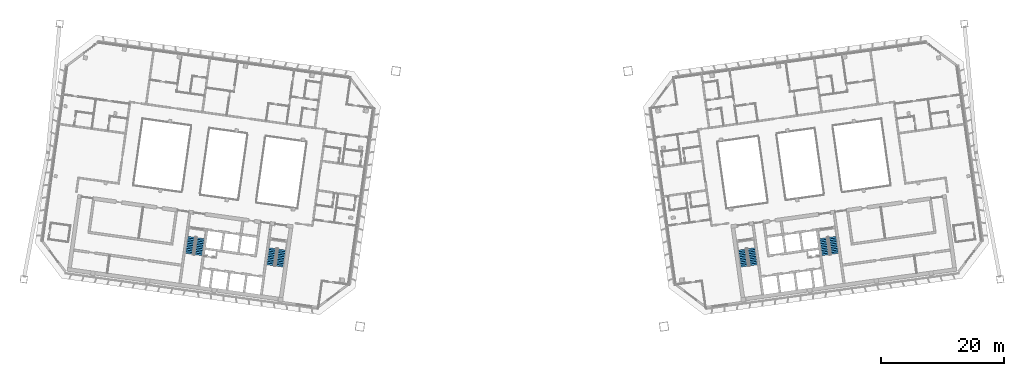
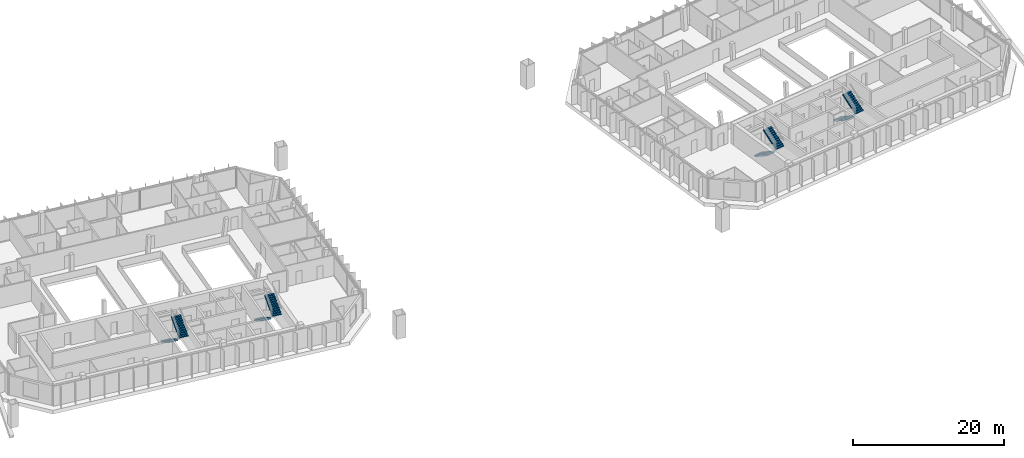
# One storey, part 21 of 23: 8 stair flights, 4 elements without a shape of their own.
"""IFC4 building model written with IfcOpenShell, lengths in metres."""

from ifc_helpers import new_model, si_unit, direction, frame, origin, place, context, subcontext, project, spatial, polyline, outline, extrude, material, type_object, element, aggregate, save


model = new_model("IFC4")

# Units and contexts
model_context = context("Model", 3, precision=1e-05, world=origin(), true_north=direction((0.0, 1.0)))
body_context = subcontext(model_context, "Body", "Model", "MODEL_VIEW")
ifc_project = project(units=[si_unit("LENGTHUNIT", "METRE"), si_unit("AREAUNIT", "SQUARE_METRE"), si_unit("VOLUMEUNIT", "CUBIC_METRE"), si_unit("PLANEANGLEUNIT", "RADIAN"), si_unit("MASSUNIT", "GRAM", prefix="KILO")], contexts=[model_context])

# Site, building, storey
site_placement = place(None, origin())
site = spatial("IfcSite", under=ifc_project, at=site_placement, CompositionType="ELEMENT")
building_placement = place(site_placement, origin())
building = spatial("IfcBuilding", under=site, at=building_placement, Name="Mirante Cascada Hotel Towers", CompositionType="ELEMENT")
storey_placement = place(building_placement, frame((0.0, 0.0, 220.4)))
storey = spatial("IfcBuildingStorey", under=building, at=storey_placement, Name="L52", CompositionType="ELEMENT", Elevation=220.4)

# Stair, stair flights
ifc_material_1 = material(Name="Concrete C35/45", Category="concrete")
stair_type = type_object("IfcStairType", Name="Exit stair half-turn 1350 concrete C35/45", PredefinedType="HALF_TURN_STAIR", material=ifc_material_1)
stair_1_placement = place(storey_placement, origin())
stair_1 = element("IfcStair", 1, at=stair_1_placement, inside=storey, type_object=stair_type, Name="L52 Exit stair A", PredefinedType="HALF_TURN_STAIR")
ifc_material_2 = material(Name="Concrete C35/45", Category="concrete")
stair_flight_type = type_object("IfcStairFlightType", Name="Exit stair flight 1350 concrete C35/45", PredefinedType="STRAIGHT", material=ifc_material_2)
stair_flight_1_placement = place(storey_placement, frame((-38.9417, -11.195, 0.0), z_axis=(0.0, 0.0, 1.0), x_axis=(-0.1391731, -0.9902681, 0.0)))
stair_flight_1 = element("IfcStairFlight", 2, at=stair_flight_1_placement, type_object=stair_flight_type, Name="ST1-A flight 1", NumberOfRisers=11, NumberOfTreads=10, PredefinedType="STRAIGHT", RiserHeight=0.172727273, TreadLength=0.28, context=body_context, shape_type="SweptSolid", body=[
    extrude(outline(polyline([(0.0, 0.0), (0.0, 0.1727), (0.28, 0.1727), (0.28, 0.3455), (0.56, 0.3455), (0.56, 0.5182), (0.84, 0.5182), (0.84, 0.6909), (1.12, 0.6909), (1.12, 0.8636), (1.4, 0.8636), (1.4, 1.0364), (1.68, 1.0364), (1.68, 1.2091), (1.96, 1.2091), (1.96, 1.3818), (2.24, 1.3818), (2.24, 1.5545), (2.52, 1.5545), (2.52, 1.7273), (2.8, 1.7273), (2.8, 1.9), (2.8, 1.551), (0.2857, 0.0), (0.0, 0.0)])), frame((0.0, 0.675, 0.0), z_axis=(0.0, -1.0, 0.0), x_axis=(1.0, 0.0, 0.0)), (0.0, 0.0, 1.0), 1.35),
])
stair_flight_2_placement = place(storey_placement, frame((-37.846, -14.1765, 1.9), z_axis=(0.0, 0.0, 1.0), x_axis=(0.1391731, 0.9902681, 0.0)))
stair_flight_2 = element("IfcStairFlight", 3, at=stair_flight_2_placement, type_object=stair_flight_type, Name="ST1-A flight 2", NumberOfRisers=11, NumberOfTreads=10, PredefinedType="STRAIGHT", RiserHeight=0.172727273, TreadLength=0.28, context=body_context, shape_type="SweptSolid", body=[
    extrude(outline(polyline([(0.0, 0.0), (0.0, 0.1727), (0.28, 0.1727), (0.28, 0.3455), (0.56, 0.3455), (0.56, 0.5182), (0.84, 0.5182), (0.84, 0.6909), (1.12, 0.6909), (1.12, 0.8636), (1.4, 0.8636), (1.4, 1.0364), (1.68, 1.0364), (1.68, 1.2091), (1.96, 1.2091), (1.96, 1.3818), (2.24, 1.3818), (2.24, 1.5545), (2.52, 1.5545), (2.52, 1.7273), (2.8, 1.7273), (2.8, 1.9), (2.8, 1.551), (0.2857, 0.0), (0.0, 0.0)])), frame((0.0, 0.675, 0.0), z_axis=(0.0, -1.0, 0.0), x_axis=(1.0, 0.0, 0.0)), (0.0, 0.0, 1.0), 1.35),
])
aggregate(stair_1, [stair_flight_1, stair_flight_2])

stair_2_placement = place(storey_placement, origin())
stair_2 = element("IfcStair", 4, at=stair_2_placement, inside=storey, type_object=stair_type, Name="L52 Exit stair B", PredefinedType="HALF_TURN_STAIR")
stair_flight_3_placement = place(storey_placement, frame((-52.1618, -9.3371, 0.0), z_axis=(0.0, 0.0, 1.0), x_axis=(-0.1391731, -0.9902681, 0.0)))
stair_flight_3 = element("IfcStairFlight", 5, at=stair_flight_3_placement, type_object=stair_flight_type, Name="ST1-B flight 1", NumberOfRisers=11, NumberOfTreads=10, PredefinedType="STRAIGHT", RiserHeight=0.172727273, TreadLength=0.28, context=body_context, shape_type="SweptSolid", body=[
    extrude(outline(polyline([(0.0, 0.0), (0.0, 0.1727), (0.28, 0.1727), (0.28, 0.3455), (0.56, 0.3455), (0.56, 0.5182), (0.84, 0.5182), (0.84, 0.6909), (1.12, 0.6909), (1.12, 0.8636), (1.4, 0.8636), (1.4, 1.0364), (1.68, 1.0364), (1.68, 1.2091), (1.96, 1.2091), (1.96, 1.3818), (2.24, 1.3818), (2.24, 1.5545), (2.52, 1.5545), (2.52, 1.7273), (2.8, 1.7273), (2.8, 1.9), (2.8, 1.551), (0.2857, 0.0), (0.0, 0.0)])), frame((0.0, 0.675, 0.0), z_axis=(0.0, -1.0, 0.0), x_axis=(1.0, 0.0, 0.0)), (0.0, 0.0, 1.0), 1.35),
])
stair_flight_4_placement = place(storey_placement, frame((-51.0661, -12.3186, 1.9), z_axis=(0.0, 0.0, 1.0), x_axis=(0.1391731, 0.9902681, 0.0)))
stair_flight_4 = element("IfcStairFlight", 6, at=stair_flight_4_placement, type_object=stair_flight_type, Name="ST1-B flight 2", NumberOfRisers=11, NumberOfTreads=10, PredefinedType="STRAIGHT", RiserHeight=0.172727273, TreadLength=0.28, context=body_context, shape_type="SweptSolid", body=[
    extrude(outline(polyline([(0.0, 0.0), (0.0, 0.1727), (0.28, 0.1727), (0.28, 0.3455), (0.56, 0.3455), (0.56, 0.5182), (0.84, 0.5182), (0.84, 0.6909), (1.12, 0.6909), (1.12, 0.8636), (1.4, 0.8636), (1.4, 1.0364), (1.68, 1.0364), (1.68, 1.2091), (1.96, 1.2091), (1.96, 1.3818), (2.24, 1.3818), (2.24, 1.5545), (2.52, 1.5545), (2.52, 1.7273), (2.8, 1.7273), (2.8, 1.9), (2.8, 1.551), (0.2857, 0.0), (0.0, 0.0)])), frame((0.0, 0.675, 0.0), z_axis=(0.0, -1.0, 0.0), x_axis=(1.0, 0.0, 0.0)), (0.0, 0.0, 1.0), 1.35),
])
aggregate(stair_2, [stair_flight_3, stair_flight_4])

stair_3_placement = place(storey_placement, origin())
stair_3 = element("IfcStair", 7, at=stair_3_placement, inside=storey, type_object=stair_type, Name="L52 Exit stair A", PredefinedType="HALF_TURN_STAIR")
stair_flight_5_placement = place(storey_placement, frame((37.4563, -11.4038, 0.0), z_axis=(0.0, 0.0, 1.0), x_axis=(0.1391731, -0.9902681, 0.0)))
stair_flight_5 = element("IfcStairFlight", 8, at=stair_flight_5_placement, type_object=stair_flight_type, Name="ST2-A flight 1", NumberOfRisers=11, NumberOfTreads=10, PredefinedType="STRAIGHT", RiserHeight=0.172727273, TreadLength=0.28, context=body_context, shape_type="SweptSolid", body=[
    extrude(outline(polyline([(0.0, 0.0), (0.0, 0.1727), (0.28, 0.1727), (0.28, 0.3455), (0.56, 0.3455), (0.56, 0.5182), (0.84, 0.5182), (0.84, 0.6909), (1.12, 0.6909), (1.12, 0.8636), (1.4, 0.8636), (1.4, 1.0364), (1.68, 1.0364), (1.68, 1.2091), (1.96, 1.2091), (1.96, 1.3818), (2.24, 1.3818), (2.24, 1.5545), (2.52, 1.5545), (2.52, 1.7273), (2.8, 1.7273), (2.8, 1.9), (2.8, 1.551), (0.2857, 0.0), (0.0, 0.0)])), frame((0.0, 0.675, 0.0), z_axis=(0.0, -1.0, 0.0), x_axis=(1.0, 0.0, 0.0)), (0.0, 0.0, 1.0), 1.35),
])
stair_flight_6_placement = place(storey_placement, frame((39.3314, -13.9678, 1.9), z_axis=(0.0, 0.0, 1.0), x_axis=(-0.1391731, 0.9902681, 0.0)))
stair_flight_6 = element("IfcStairFlight", 9, at=stair_flight_6_placement, type_object=stair_flight_type, Name="ST2-A flight 2", NumberOfRisers=11, NumberOfTreads=10, PredefinedType="STRAIGHT", RiserHeight=0.172727273, TreadLength=0.28, context=body_context, shape_type="SweptSolid", body=[
    extrude(outline(polyline([(0.0, 0.0), (0.0, 0.1727), (0.28, 0.1727), (0.28, 0.3455), (0.56, 0.3455), (0.56, 0.5182), (0.84, 0.5182), (0.84, 0.6909), (1.12, 0.6909), (1.12, 0.8636), (1.4, 0.8636), (1.4, 1.0364), (1.68, 1.0364), (1.68, 1.2091), (1.96, 1.2091), (1.96, 1.3818), (2.24, 1.3818), (2.24, 1.5545), (2.52, 1.5545), (2.52, 1.7273), (2.8, 1.7273), (2.8, 1.9), (2.8, 1.551), (0.2857, 0.0), (0.0, 0.0)])), frame((0.0, 0.675, 0.0), z_axis=(0.0, -1.0, 0.0), x_axis=(1.0, 0.0, 0.0)), (0.0, 0.0, 1.0), 1.35),
])
aggregate(stair_3, [stair_flight_5, stair_flight_6])

stair_4_placement = place(storey_placement, origin())
stair_4 = element("IfcStair", 10, at=stair_4_placement, inside=storey, type_object=stair_type, Name="L52 Exit stair B", PredefinedType="HALF_TURN_STAIR")
stair_flight_7_placement = place(storey_placement, frame((50.6764, -9.5458, 0.0), z_axis=(0.0, 0.0, 1.0), x_axis=(0.1391731, -0.9902681, 0.0)))
stair_flight_7 = element("IfcStairFlight", 11, at=stair_flight_7_placement, type_object=stair_flight_type, Name="ST2-B flight 1", NumberOfRisers=11, NumberOfTreads=10, PredefinedType="STRAIGHT", RiserHeight=0.172727273, TreadLength=0.28, context=body_context, shape_type="SweptSolid", body=[
    extrude(outline(polyline([(0.0, 0.0), (0.0, 0.1727), (0.28, 0.1727), (0.28, 0.3455), (0.56, 0.3455), (0.56, 0.5182), (0.84, 0.5182), (0.84, 0.6909), (1.12, 0.6909), (1.12, 0.8636), (1.4, 0.8636), (1.4, 1.0364), (1.68, 1.0364), (1.68, 1.2091), (1.96, 1.2091), (1.96, 1.3818), (2.24, 1.3818), (2.24, 1.5545), (2.52, 1.5545), (2.52, 1.7273), (2.8, 1.7273), (2.8, 1.9), (2.8, 1.551), (0.2857, 0.0), (0.0, 0.0)])), frame((0.0, 0.675, 0.0), z_axis=(0.0, -1.0, 0.0), x_axis=(1.0, 0.0, 0.0)), (0.0, 0.0, 1.0), 1.35),
])
stair_flight_8_placement = place(storey_placement, frame((52.5515, -12.1098, 1.9), z_axis=(0.0, 0.0, 1.0), x_axis=(-0.1391731, 0.9902681, 0.0)))
stair_flight_8 = element("IfcStairFlight", 12, at=stair_flight_8_placement, type_object=stair_flight_type, Name="ST2-B flight 2", NumberOfRisers=11, NumberOfTreads=10, PredefinedType="STRAIGHT", RiserHeight=0.172727273, TreadLength=0.28, context=body_context, shape_type="SweptSolid", body=[
    extrude(outline(polyline([(0.0, 0.0), (0.0, 0.1727), (0.28, 0.1727), (0.28, 0.3455), (0.56, 0.3455), (0.56, 0.5182), (0.84, 0.5182), (0.84, 0.6909), (1.12, 0.6909), (1.12, 0.8636), (1.4, 0.8636), (1.4, 1.0364), (1.68, 1.0364), (1.68, 1.2091), (1.96, 1.2091), (1.96, 1.3818), (2.24, 1.3818), (2.24, 1.5545), (2.52, 1.5545), (2.52, 1.7273), (2.8, 1.7273), (2.8, 1.9), (2.8, 1.551), (0.2857, 0.0), (0.0, 0.0)])), frame((0.0, 0.675, 0.0), z_axis=(0.0, -1.0, 0.0), x_axis=(1.0, 0.0, 0.0)), (0.0, 0.0, 1.0), 1.35),
])
aggregate(stair_4, [stair_flight_7, stair_flight_8])

save(model, "model.ifc")
